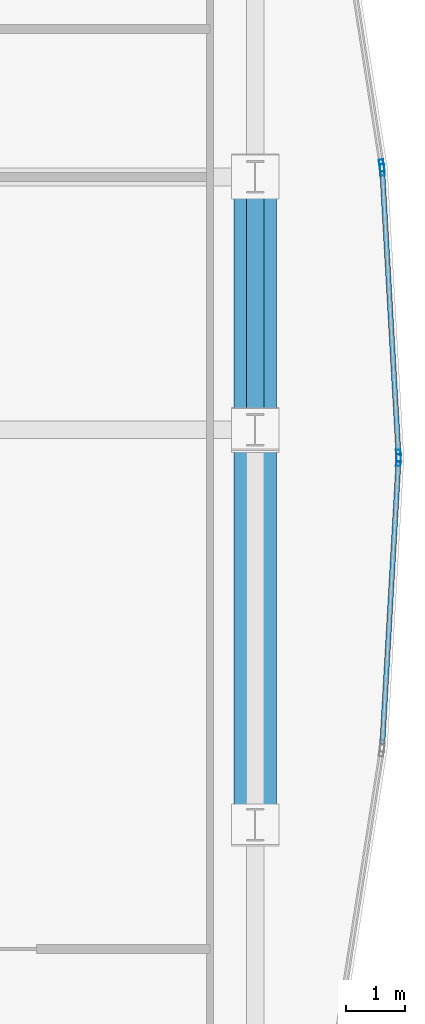
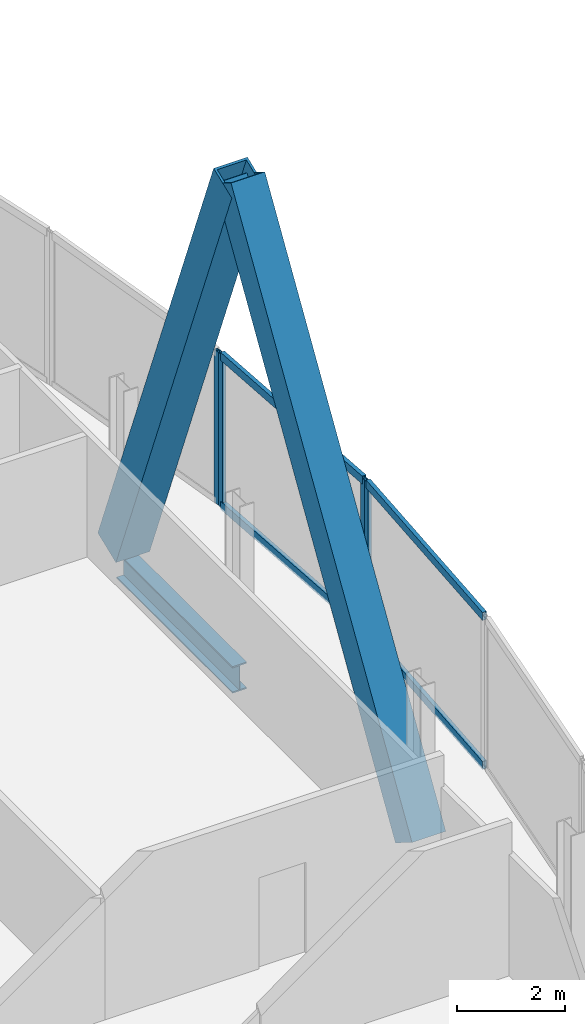
# One storey, part 22 of 30: 10 members, 1 beam, 3 elements without a shape of their own.
"""IFC4 building model written with IfcOpenShell, lengths in metres."""

from ifc_helpers import new_model, si_unit, direction, frame, origin, origin_2d, place, context, subcontext, project, spatial, hollow_rectangle, i_section, extrude, material, material_profile, profile_set, type_object, element, aggregate, save


model = new_model("IFC4")

# Units and contexts
model_context = context("Model", 3, precision=1e-05, world=origin(), true_north=direction((0.0, 1.0)))
body_context = subcontext(model_context, "Body", "Model", "MODEL_VIEW")
ifc_project = project(units=[si_unit("LENGTHUNIT", "METRE"), si_unit("AREAUNIT", "SQUARE_METRE"), si_unit("VOLUMEUNIT", "CUBIC_METRE"), si_unit("PLANEANGLEUNIT", "RADIAN"), si_unit("MASSUNIT", "GRAM", prefix="KILO")], contexts=[model_context])

# Site, building, storey
site_placement = place(None, origin())
site = spatial("IfcSite", under=ifc_project, at=site_placement, CompositionType="ELEMENT")
building_placement = place(site_placement, origin())
building = spatial("IfcBuilding", under=site, at=building_placement, Name="Khoronbel Lancet Exchange", CompositionType="ELEMENT")
storey_placement = place(building_placement, frame((0.0, 0.0, 157.800048828125)))
storey = spatial("IfcBuildingStorey", under=building, at=storey_placement, Name="L39", CompositionType="ELEMENT", Elevation=157.800048828125)

# Beam
ifc_material_1 = material(Name="Steel S355", Category="steel")
ifc_material_profile_1 = material_profile(ifc_material_1, i_section(OverallWidth=0.300048828125, OverallDepth=0.60009765625, WebThickness=0.015380859375, FlangeThickness=0.030029296875, at=origin_2d()), Name="HEB 600")
ifc_profile_set_1 = profile_set([ifc_material_profile_1], Name="Steel S355")
beam_type = type_object("IfcBeamType", Name="BM-BSP2", PredefinedType="SPANDREL", material=ifc_profile_set_1)
beam_placement = place(storey_placement, frame((67.6298828125, 31.425048828125, -0.4599609375), z_axis=(0.0, 1.0, 0.0), x_axis=(-1.0, 0.0, 0.0)))
element("IfcBeam", 1, at=beam_placement, inside=storey, type_object=beam_type, Name="Level L39 perimeter spandrel beam SP13", PredefinedType="SPANDREL", context=body_context, shape_type="SweptSolid", body=[
    extrude(i_section(OverallWidth=0.300048828125, OverallDepth=0.60009765625, WebThickness=0.015380859375, FlangeThickness=0.030029296875, at=origin_2d()), origin(), (0.0, 0.0, 1.0), 4.27490234375),
])

# Curtain wall, member
ifc_material_2 = material(Name="Low-E Solar Control Insulating Glass", Category="glass")
curtain_wall_type = type_object("IfcCurtainWallType", Name="CW-4", PredefinedType="NOTDEFINED", material=ifc_material_2)
curtain_wall_1_placement = place(storey_placement, origin())
curtain_wall_1 = element("IfcCurtainWall", 2, at=curtain_wall_1_placement, inside=storey, type_object=curtain_wall_type, Name="Unitised curtain wall CW-L39-E18", PredefinedType="NOTDEFINED")
ifc_material_3 = material(Name="Bronze-Anodised Aluminium 6063-T6", Category="aluminium")
ifc_material_profile_2 = material_profile(ifc_material_3, hollow_rectangle(XDim=0.074951171875, YDim=0.199951171875, WallThickness=0.0048828125, at=origin_2d()), Name="ALU MULLION 75x200")
ifc_profile_set_2 = profile_set([ifc_material_profile_2], Name="Bronze-Anodised Aluminium 6063-T6")
member_type_1 = type_object("IfcMemberType", Name="MEM-CWM2", PredefinedType="MULLION", material=ifc_profile_set_2)
member_1_placement = place(storey_placement, frame((69.77001953125, 35.894287109375, 0.0), z_axis=(0.0, 0.0, 1.0), x_axis=(0.98804136719, 0.154189029189, 0.0)))
member_1 = element("IfcMember", 3, at=member_1_placement, type_object=member_type_1, Name="CW4 mullion 2", PredefinedType="MULLION", context=body_context, shape_type="SweptSolid", body=[
    extrude(hollow_rectangle(XDim=0.074951171875, YDim=0.199951171875, WallThickness=0.0048828125, at=origin_2d()), origin(), (0.0, 0.0, 1.0), 3.43994140625),
])
aggregate(curtain_wall_1, [member_1])

# Curtain wall, members
curtain_wall_2_placement = place(storey_placement, origin())
curtain_wall_2 = element("IfcCurtainWall", 4, at=curtain_wall_2_placement, inside=storey, type_object=curtain_wall_type, Name="Unitised curtain wall CW-L39-E19", PredefinedType="NOTDEFINED")
member_2_placement = place(storey_placement, frame((69.77783203125, 35.81982421875, 0.0), z_axis=(0.0, 0.0, 1.0), x_axis=(0.998372625392, 0.05702719411, 0.0)))
member_2 = element("IfcMember", 5, at=member_2_placement, type_object=member_type_1, Name="CW4 mullion 1", PredefinedType="MULLION", context=body_context, shape_type="SweptSolid", body=[
    extrude(hollow_rectangle(XDim=0.074951171875, YDim=0.199951171875, WallThickness=0.0048828125, at=origin_2d()), origin(), (0.0, 0.0, 1.0), 3.43994140625),
])
member_3_placement = place(storey_placement, frame((70.053955078125, 30.987548828125, 0.0), z_axis=(0.0, 0.0, 1.0), x_axis=(0.998372625392, 0.05702719411, 0.0)))
member_3 = element("IfcMember", 6, at=member_3_placement, type_object=member_type_1, Name="CW4 mullion 2", PredefinedType="MULLION", context=body_context, shape_type="SweptSolid", body=[
    extrude(hollow_rectangle(XDim=0.074951171875, YDim=0.199951171875, WallThickness=0.0048828125, at=origin_2d()), origin(), (0.0, 0.0, 1.0), 3.43994140625),
])

# Curtain wall, member
curtain_wall_3_placement = place(storey_placement, origin())
curtain_wall_3 = element("IfcCurtainWall", 7, at=curtain_wall_3_placement, inside=storey, type_object=curtain_wall_type, Name="Unitised curtain wall CW-L39-E20", PredefinedType="NOTDEFINED")
member_4_placement = place(storey_placement, frame((70.053955078125, 30.91259765625, 0.0), z_axis=(0.0, 0.0, 1.0), x_axis=(0.998372625392, -0.05702719411, 0.0)))
member_4 = element("IfcMember", 8, at=member_4_placement, type_object=member_type_1, Name="CW4 mullion 1", PredefinedType="MULLION", context=body_context, shape_type="SweptSolid", body=[
    extrude(hollow_rectangle(XDim=0.074951171875, YDim=0.199951171875, WallThickness=0.0048828125, at=origin_2d()), origin(), (0.0, 0.0, 1.0), 3.43994140625),
])

# Member
ifc_material_profile_3 = material_profile(ifc_material_3, hollow_rectangle(XDim=0.0849609375, YDim=0.179931640625, WallThickness=0.0048828125, at=origin_2d()), Name="ALU TRANSOM 85x180")
ifc_profile_set_3 = profile_set([ifc_material_profile_3], Name="Bronze-Anodised Aluminium 6063-T6")
member_type_2 = type_object("IfcMemberType", Name="MEM-CWT1", PredefinedType="USERDEFINED", material=ifc_profile_set_3)
member_5_placement = place(storey_placement, frame((69.780029296875, 35.7822265625, 0.04248046875), z_axis=(0.057024985757, -0.998372751531, 0.0), x_axis=(0.998372751531, 0.057024985757, 0.0)))
member_5 = element("IfcMember", 9, at=member_5_placement, type_object=member_type_2, Name="CW4 transom 1.1", ObjectType="TRANSOM", PredefinedType="USERDEFINED", context=body_context, shape_type="SweptSolid", body=[
    extrude(hollow_rectangle(XDim=0.0849609375, YDim=0.179931640625, WallThickness=0.0048828125, at=origin_2d()), origin(), (0.0, 0.0, 1.0), 4.76513671875),
])

member_6_placement = place(storey_placement, frame((69.780029296875, 35.7822265625, 3.3974609375), z_axis=(0.057024985757, -0.998372751531, 0.0), x_axis=(0.998372751531, 0.057024985757, 0.0)))
member_6 = element("IfcMember", 10, at=member_6_placement, type_object=member_type_2, Name="CW4 transom 1.2", ObjectType="TRANSOM", PredefinedType="USERDEFINED", context=body_context, shape_type="SweptSolid", body=[
    extrude(hollow_rectangle(XDim=0.0849609375, YDim=0.179931640625, WallThickness=0.0048828125, at=origin_2d()), origin(), (0.0, 0.0, 1.0), 4.76513671875),
])

aggregate(curtain_wall_2, [member_2, member_3, member_5, member_6])

member_7_placement = place(storey_placement, frame((70.0517578125, 30.875, 0.04248046875), z_axis=(-0.057024985757, -0.998372751531, 0.0), x_axis=(0.998372751531, -0.057024985757, 0.0)))
member_7 = element("IfcMember", 11, at=member_7_placement, type_object=member_type_2, Name="CW4 transom 1.1", ObjectType="TRANSOM", PredefinedType="USERDEFINED", context=body_context, shape_type="SweptSolid", body=[
    extrude(hollow_rectangle(XDim=0.0849609375, YDim=0.179931640625, WallThickness=0.0048828125, at=origin_2d()), origin(), (0.0, 0.0, 1.0), 4.76513671875),
])

member_8_placement = place(storey_placement, frame((70.0517578125, 30.875, 3.3974609375), z_axis=(-0.057024985757, -0.998372751531, 0.0), x_axis=(0.998372751531, -0.057024985757, 0.0)))
member_8 = element("IfcMember", 12, at=member_8_placement, type_object=member_type_2, Name="CW4 transom 1.2", ObjectType="TRANSOM", PredefinedType="USERDEFINED", context=body_context, shape_type="SweptSolid", body=[
    extrude(hollow_rectangle(XDim=0.0849609375, YDim=0.179931640625, WallThickness=0.0048828125, at=origin_2d()), origin(), (0.0, 0.0, 1.0), 4.76513671875),
])

aggregate(curtain_wall_3, [member_4, member_7, member_8])

# Members
ifc_material_4 = material(Name="Steel S460", Category="steel")
ifc_material_profile_4 = material_profile(ifc_material_4, hollow_rectangle(XDim=0.719970703125, YDim=0.719970703125, WallThickness=0.050048828125, at=origin_2d()), Name="BOX 720x720x50")
ifc_profile_set_4 = profile_set([ifc_material_profile_4], Name="Steel S460")
member_type_3 = type_object("IfcMemberType", Name="MEM-MB2", PredefinedType="BRACE", material=ifc_profile_set_4)
member_9_placement = place(storey_placement, frame((67.6298828125, 24.75, 0.0), z_axis=(0.0, 0.525745449971, 0.850641946906), x_axis=(-1.0, 0.0, 0.0)))
element("IfcMember", 13, at=member_9_placement, inside=storey, type_object=member_type_3, Name="Perimeter lancet brace tier 13 E-P-L", PredefinedType="BRACE", context=body_context, shape_type="SweptSolid", body=[
    extrude(hollow_rectangle(XDim=0.719970703125, YDim=0.719970703125, WallThickness=0.050048828125, at=origin_2d()), origin(), (0.0, 0.0, 1.0), 12.6962890625),
])
member_10_placement = place(storey_placement, frame((67.6298828125, 35.699951171875, 0.0), z_axis=(0.0, -0.368039743753, 0.929810059646), x_axis=(1.0, 0.0, 0.0)))
element("IfcMember", 14, at=member_10_placement, inside=storey, type_object=member_type_3, Name="Perimeter lancet brace tier 13 E-P-R", PredefinedType="BRACE", context=body_context, shape_type="SweptSolid", body=[
    extrude(hollow_rectangle(XDim=0.719970703125, YDim=0.719970703125, WallThickness=0.050048828125, at=origin_2d()), origin(), (0.0, 0.0, 1.0), 11.615234375),
])

save(model, "model.ifc")
